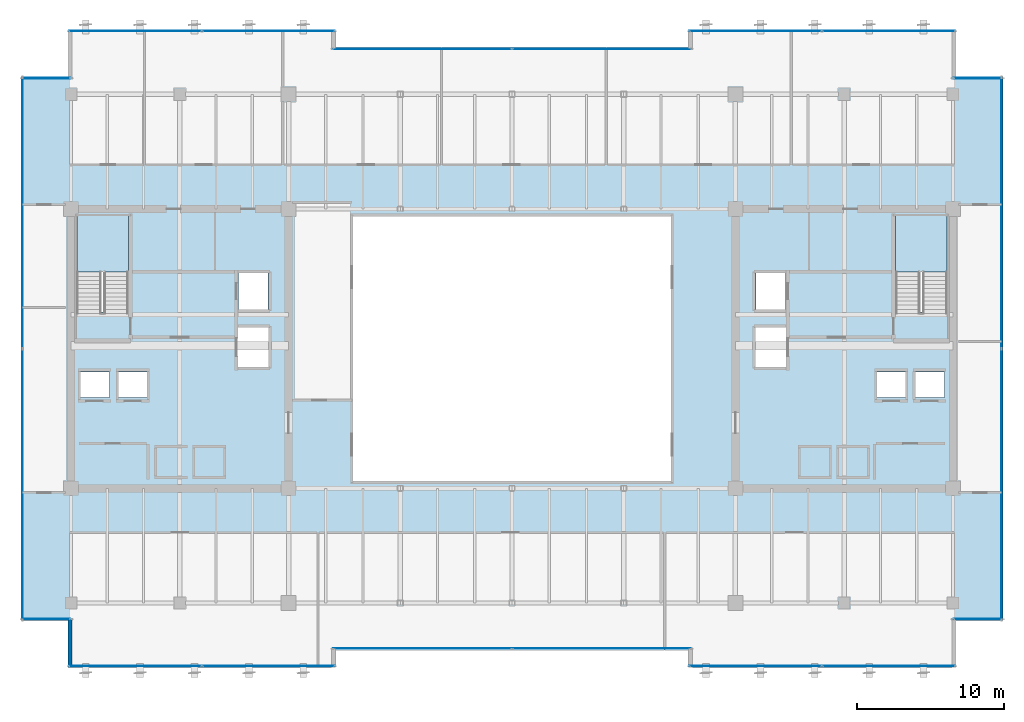
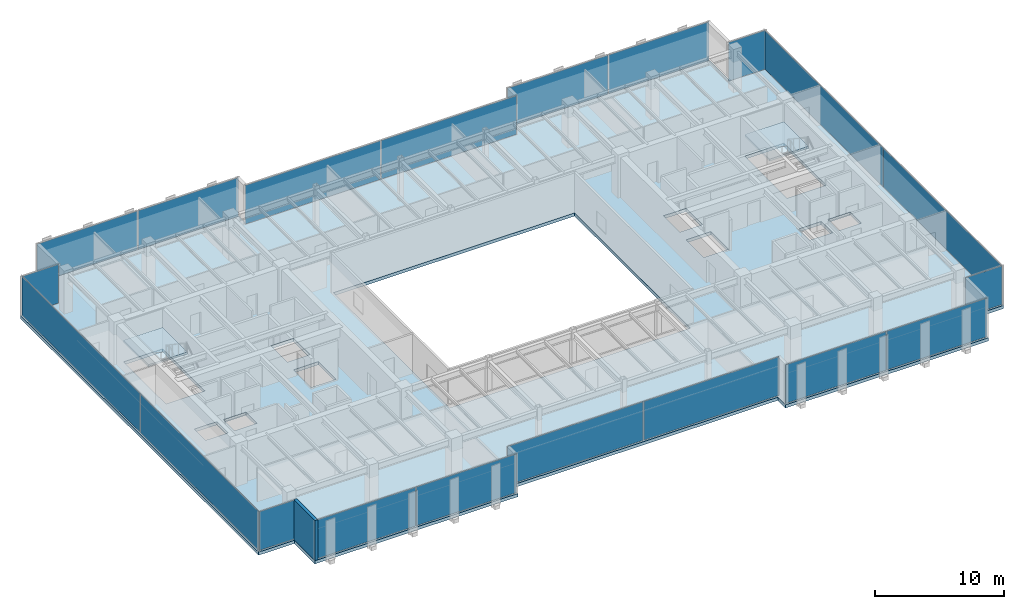
# One storey, part 27 of 35: 20 plates, 3 slabs, 1 wall, 14 elements without a shape of their own.
"""IFC4 building model written with IfcOpenShell, lengths in metres."""

from ifc_helpers import new_model, si_unit, direction, frame, frame_2d, origin, origin_2d, place, context, subcontext, project, spatial, polyline, rectangle, outline, extrude, source, transform, mapped, material, layer, layer_set, type_object, type_shapes, element, aggregate, save


model = new_model("IFC4")

# Units and contexts
model_context = context("Model", 3, precision=1e-05, world=origin(), true_north=direction((0.0, 1.0)))
body_context = subcontext(model_context, "Body", "Model", "MODEL_VIEW")
ifc_project = project(units=[si_unit("LENGTHUNIT", "METRE"), si_unit("AREAUNIT", "SQUARE_METRE"), si_unit("VOLUMEUNIT", "CUBIC_METRE"), si_unit("PLANEANGLEUNIT", "RADIAN"), si_unit("MASSUNIT", "GRAM", prefix="KILO")], contexts=[model_context])

# Site, building, storey
site_placement = place(None, origin())
site = spatial("IfcSite", under=ifc_project, at=site_placement, CompositionType="ELEMENT")
building_placement = place(site_placement, origin())
building = spatial("IfcBuilding", under=site, at=building_placement, Name="Haelvirn Gate Laboratories", CompositionType="ELEMENT")
storey_placement = place(building_placement, frame((0.0, 0.0, 201.39990234375)))
storey = spatial("IfcBuildingStorey", under=building, at=storey_placement, Name="L48", CompositionType="ELEMENT", Elevation=201.39990234375)

# Stair, slab
ifc_material_1 = material(Name="Concrete C40/50", Category="concrete")
stair_type = type_object("IfcStairType", Name="ST-DOG-1650-R22", PredefinedType="HALF_TURN_STAIR", material=ifc_material_1)
stair_1_placement = place(storey_placement, origin())
stair_1 = element("IfcStair", 1, at=stair_1_placement, inside=storey, type_object=stair_type, Name="L48 Escape Stair ST1", PredefinedType="HALF_TURN_STAIR")
ifc_layer_1 = layer(ifc_material_1, 0.199951171875, Name="SL-STAIR-LND")
ifc_layer_set_1 = layer_set([ifc_layer_1], Name="Concrete C40/50")
slab_type_1 = type_object("IfcSlabType", Name="SL-STAIR-LND", PredefinedType="LANDING", material=ifc_layer_set_1)
slab_1_placement = place(storey_placement, frame((0.0, 0.0, 1.85009765625)))
slab_1 = element("IfcSlab", 2, at=slab_1_placement, type_object=slab_type_1, Name="ST1 landing 1", PredefinedType="LANDING", context=body_context, shape_type="SweptSolid", body=[
    extrude(outline(polyline([(11.300048828125, 29.5), (11.300048828125, 33.35009765625), (7.800048828125, 33.35009765625), (7.800048828125, 29.5), (11.300048828125, 29.5)])), origin(), (0.0, 0.0, 1.0), 0.199951171875),
])
aggregate(stair_1, [slab_1])

stair_2_placement = place(storey_placement, origin())
stair_2 = element("IfcStair", 3, at=stair_2_placement, inside=storey, type_object=stair_type, Name="L48 Escape Stair ST2", PredefinedType="HALF_TURN_STAIR")
slab_2_placement = place(storey_placement, frame((0.0, 0.0, 1.85009765625)))
slab_2 = element("IfcSlab", 4, at=slab_2_placement, type_object=slab_type_1, Name="ST2 landing 1", PredefinedType="LANDING", context=body_context, shape_type="SweptSolid", body=[
    extrude(outline(polyline([(67.0, 29.5), (67.0, 33.35009765625), (63.5, 33.35009765625), (63.5, 29.5), (67.0, 29.5)])), origin(), (0.0, 0.0, 1.0), 0.199951171875),
])
aggregate(stair_2, [slab_2])

# Slab
ifc_layer_2 = layer(ifc_material_1, 0.300048828125, Name="SL-Z3-300")
ifc_layer_set_2 = layer_set([ifc_layer_2], Name="Concrete C40/50")
slab_type_2 = type_object("IfcSlabType", Name="SL-Z3-300", PredefinedType="FLOOR", material=ifc_layer_set_2)
slab_3_placement = place(storey_placement, frame((0.0, 0.0, -0.2998046875)))
element("IfcSlab", 5, at=slab_3_placement, inside=storey, type_object=slab_type_2, Name="L48 Structural Slab MAIN", PredefinedType="FLOOR", context=body_context, shape_type="SweptSolid", body=[
    extrude(outline(polyline([(7.199951171875, 2.60009765625), (25.39990234375, 2.60009765625), (25.39990234375, 3.800048828125), (49.39990234375, 3.800048828125), (49.39990234375, 2.60009765625), (67.60009765625, 2.60009765625), (67.60009765625, 5.800048828125), (70.800048828125, 5.800048828125), (70.800048828125, 42.800048828125), (67.60009765625, 42.800048828125), (67.60009765625, 46.0), (49.39990234375, 46.0), (49.39990234375, 44.800048828125), (25.39990234375, 44.800048828125), (25.39990234375, 46.0), (7.199951171875, 46.0), (7.199951171875, 42.800048828125), (4.0, 42.800048828125), (4.0, 5.800048828125), (7.199951171875, 5.800048828125), (7.199951171875, 2.60009765625)]), holes=[polyline([(26.60009765625, 15.300048828125), (48.199951171875, 15.300048828125), (48.199951171875, 33.300048828125), (26.60009765625, 33.300048828125), (26.60009765625, 15.300048828125)]), polyline([(11.300048828125, 26.780029296875), (11.300048828125, 33.35009765625), (7.800048828125, 33.35009765625), (7.800048828125, 26.780029296875), (11.300048828125, 26.780029296875)]), polyline([(67.0, 26.780029296875), (67.0, 33.35009765625), (63.5, 33.35009765625), (63.5, 26.780029296875), (67.0, 26.780029296875)]), polyline([(7.989990234375, 20.969970703125), (10.010009765625, 20.969970703125), (10.010009765625, 22.7099609375), (7.989990234375, 22.7099609375), (7.989990234375, 20.969970703125)]), polyline([(10.590087890625, 20.969970703125), (12.610107421875, 20.969970703125), (12.610107421875, 22.7099609375), (10.590087890625, 22.7099609375), (10.590087890625, 20.969970703125)]), polyline([(18.7900390625, 26.969970703125), (20.81005859375, 26.969970703125), (20.81005859375, 29.510009765625), (18.7900390625, 29.510009765625), (18.7900390625, 26.969970703125)]), polyline([(18.68994140625, 23.070068359375), (20.909912109375, 23.070068359375), (20.909912109375, 25.81005859375), (18.68994140625, 25.81005859375), (18.68994140625, 23.070068359375)]), polyline([(64.7900390625, 20.969970703125), (66.81005859375, 20.969970703125), (66.81005859375, 22.7099609375), (64.7900390625, 22.7099609375), (64.7900390625, 20.969970703125)]), polyline([(62.18994140625, 20.969970703125), (64.2099609375, 20.969970703125), (64.2099609375, 22.7099609375), (62.18994140625, 22.7099609375), (62.18994140625, 20.969970703125)]), polyline([(53.989990234375, 26.969970703125), (56.010009765625, 26.969970703125), (56.010009765625, 29.510009765625), (53.989990234375, 29.510009765625), (53.989990234375, 26.969970703125)]), polyline([(53.889892578125, 23.070068359375), (56.110107421875, 23.070068359375), (56.110107421875, 25.81005859375), (53.889892578125, 25.81005859375), (53.889892578125, 23.070068359375)])]), origin(), (0.0, 0.0, 1.0), 0.2998046875),
])

# Curtain wall, plates
ifc_material_2 = material(Name="Anodised bronze unitised aluminium & triple low-E glass", Category="aluminium")
ifc_layer_3 = layer(ifc_material_2, 0.176025390625, Name="CW-SYS-4")
ifc_layer_set_3 = layer_set([ifc_layer_3], Name="Anodised bronze unitised aluminium & triple low-E glass")
curtain_wall_type_1 = type_object("IfcCurtainWallType", Name="CW-SYS-4", PredefinedType="NOTDEFINED", material=ifc_layer_set_3)
curtain_wall_1_placement = place(storey_placement, origin())
curtain_wall_1 = element("IfcCurtainWall", 6, at=curtain_wall_1_placement, inside=storey, type_object=curtain_wall_type_1, Name="L48 Unitised Curtain Wall CW-L48-P0-E00-1", PredefinedType="NOTDEFINED")
ifc_material_3 = material(Name="Acoustic laminated bronze triple IGU 36 mm", Category="glass")
ifc_layer_4 = layer(ifc_material_3, 0.035888671875, Name="CWP-IGU-36")
ifc_layer_set_4 = layer_set([ifc_layer_4], Name="Acoustic laminated bronze triple IGU 36 mm")
plate_type_1 = type_object("IfcPlateType", Name="CWP-IGU-36", PredefinedType="CURTAIN_PANEL", material=ifc_layer_set_4)
shared_shape_1 = source(origin(), body_context, "Body", "SweptSolid", [
    extrude(rectangle(XDim=8.9951171875, YDim=0.035888671875, at=origin_2d()), origin(), (0.0, 0.0, 1.0), 3.669921875),
])
plate_1_placement = place(storey_placement, frame((11.767578125, 2.699951171875, 0.065185546875), z_axis=(0.0, 0.0, 1.0), x_axis=(1.0, 0.0, 0.0)))
plate_1 = element("IfcPlate", 7, at=plate_1_placement, type_object=plate_type_1, Name="CW4 panel 1.1", PredefinedType="CURTAIN_PANEL", context=body_context, shape_type="MappedRepresentation", body=[
    mapped(shared_shape_1, transform((0.0, 0.0, 0.0), scale=1.0)),
])
plate_2_placement = place(storey_placement, frame((20.83251953125, 2.699951171875, 0.065185546875), z_axis=(0.0, 0.0, 1.0), x_axis=(1.0, 0.0, 0.0)))
plate_2 = element("IfcPlate", 8, at=plate_2_placement, type_object=plate_type_1, Name="CW4 panel 2.1", PredefinedType="CURTAIN_PANEL", context=body_context, shape_type="MappedRepresentation", body=[
    mapped(shared_shape_1, transform((0.0, 0.0, 0.0), scale=1.0)),
])
aggregate(curtain_wall_1, [plate_1, plate_2])

curtain_wall_2_placement = place(storey_placement, origin())
curtain_wall_2 = element("IfcCurtainWall", 9, at=curtain_wall_2_placement, inside=storey, type_object=curtain_wall_type_1, Name="L48 Unitised Curtain Wall CW-L48-P0-E04-1", PredefinedType="NOTDEFINED")
plate_3_placement = place(storey_placement, frame((53.967529296875, 2.699951171875, 0.065185546875), z_axis=(0.0, 0.0, 1.0), x_axis=(1.0, 0.0, 0.0)))
plate_3 = element("IfcPlate", 10, at=plate_3_placement, type_object=plate_type_1, Name="CW4 panel 1.1", PredefinedType="CURTAIN_PANEL", context=body_context, shape_type="MappedRepresentation", body=[
    mapped(shared_shape_1, transform((0.0, 0.0, 0.0), scale=1.0)),
])
plate_4_placement = place(storey_placement, frame((63.032470703125, 2.699951171875, 0.065185546875), z_axis=(0.0, 0.0, 1.0), x_axis=(1.0, 0.0, 0.0)))
plate_4 = element("IfcPlate", 11, at=plate_4_placement, type_object=plate_type_1, Name="CW4 panel 2.1", PredefinedType="CURTAIN_PANEL", context=body_context, shape_type="MappedRepresentation", body=[
    mapped(shared_shape_1, transform((0.0, 0.0, 0.0), scale=1.0)),
])
aggregate(curtain_wall_2, [plate_3, plate_4])

curtain_wall_3_placement = place(storey_placement, origin())
curtain_wall_3 = element("IfcCurtainWall", 12, at=curtain_wall_3_placement, inside=storey, type_object=curtain_wall_type_1, Name="L48 Unitised Curtain Wall CW-L48-P0-E10-1", PredefinedType="NOTDEFINED")
plate_5_placement = place(storey_placement, frame((53.967529296875, 45.89990234375, 0.065185546875), z_axis=(0.0, 0.0, 1.0), x_axis=(1.0, 0.0, 0.0)))
plate_5 = element("IfcPlate", 13, at=plate_5_placement, type_object=plate_type_1, Name="CW4 panel 1.1", PredefinedType="CURTAIN_PANEL", context=body_context, shape_type="MappedRepresentation", body=[
    mapped(shared_shape_1, transform((0.0, 0.0, 0.0), scale=1.0)),
])
plate_6_placement = place(storey_placement, frame((63.032470703125, 45.89990234375, 0.065185546875), z_axis=(0.0, 0.0, 1.0), x_axis=(1.0, 0.0, 0.0)))
plate_6 = element("IfcPlate", 14, at=plate_6_placement, type_object=plate_type_1, Name="CW4 panel 2.1", PredefinedType="CURTAIN_PANEL", context=body_context, shape_type="MappedRepresentation", body=[
    mapped(shared_shape_1, transform((0.0, 0.0, 0.0), scale=1.0)),
])
aggregate(curtain_wall_3, [plate_5, plate_6])

curtain_wall_4_placement = place(storey_placement, origin())
curtain_wall_4 = element("IfcCurtainWall", 15, at=curtain_wall_4_placement, inside=storey, type_object=curtain_wall_type_1, Name="L48 Unitised Curtain Wall CW-L48-P0-E14-1", PredefinedType="NOTDEFINED")
plate_7_placement = place(storey_placement, frame((11.767578125, 45.89990234375, 0.065185546875), z_axis=(0.0, 0.0, 1.0), x_axis=(1.0, 0.0, 0.0)))
plate_7 = element("IfcPlate", 16, at=plate_7_placement, type_object=plate_type_1, Name="CW4 panel 1.1", PredefinedType="CURTAIN_PANEL", context=body_context, shape_type="MappedRepresentation", body=[
    mapped(shared_shape_1, transform((0.0, 0.0, 0.0), scale=1.0)),
])
plate_8_placement = place(storey_placement, frame((20.83251953125, 45.89990234375, 0.065185546875), z_axis=(0.0, 0.0, 1.0), x_axis=(1.0, 0.0, 0.0)))
plate_8 = element("IfcPlate", 17, at=plate_8_placement, type_object=plate_type_1, Name="CW4 panel 2.1", PredefinedType="CURTAIN_PANEL", context=body_context, shape_type="MappedRepresentation", body=[
    mapped(shared_shape_1, transform((0.0, 0.0, 0.0), scale=1.0)),
])
aggregate(curtain_wall_4, [plate_7, plate_8])

curtain_wall_5_placement = place(storey_placement, origin())
curtain_wall_5 = element("IfcCurtainWall", 18, at=curtain_wall_5_placement, inside=storey, type_object=curtain_wall_type_1, Name="L48 Unitised Curtain Wall CW-L48-P0-E02-1", PredefinedType="NOTDEFINED")
shared_shape_2 = source(origin(), body_context, "Body", "SweptSolid", [
    extrude(rectangle(XDim=12.135009765625, YDim=0.035888671875, at=origin_2d()), origin(), (0.0, 0.0, 1.0), 3.669921875),
])
plate_9_placement = place(storey_placement, frame((31.297607421875, 3.89990234375, 0.065185546875), z_axis=(0.0, 0.0, 1.0), x_axis=(1.0, 0.0, 0.0)))
plate_9 = element("IfcPlate", 19, at=plate_9_placement, type_object=plate_type_1, Name="CW4 panel 1.1", PredefinedType="CURTAIN_PANEL", context=body_context, shape_type="MappedRepresentation", body=[
    mapped(shared_shape_2, transform((0.0, 0.0, 0.0), scale=1.0)),
])
plate_10_placement = place(storey_placement, frame((43.50244140625, 3.89990234375, 0.065185546875), z_axis=(0.0, 0.0, 1.0), x_axis=(1.0, 0.0, 0.0)))
plate_10 = element("IfcPlate", 20, at=plate_10_placement, type_object=plate_type_1, Name="CW4 panel 2.1", PredefinedType="CURTAIN_PANEL", context=body_context, shape_type="MappedRepresentation", body=[
    mapped(shared_shape_2, transform((0.0, 0.0, 0.0), scale=1.0)),
])
aggregate(curtain_wall_5, [plate_9, plate_10])

curtain_wall_6_placement = place(storey_placement, origin())
curtain_wall_6 = element("IfcCurtainWall", 21, at=curtain_wall_6_placement, inside=storey, type_object=curtain_wall_type_1, Name="L48 Unitised Curtain Wall CW-L48-P0-E12-1", PredefinedType="NOTDEFINED")
plate_11_placement = place(storey_placement, frame((31.297607421875, 44.699951171875, 0.065185546875), z_axis=(0.0, 0.0, 1.0), x_axis=(1.0, 0.0, 0.0)))
plate_11 = element("IfcPlate", 22, at=plate_11_placement, type_object=plate_type_1, Name="CW4 panel 1.1", PredefinedType="CURTAIN_PANEL", context=body_context, shape_type="MappedRepresentation", body=[
    mapped(shared_shape_2, transform((0.0, 0.0, 0.0), scale=1.0)),
])
plate_12_placement = place(storey_placement, frame((43.50244140625, 44.699951171875, 0.065185546875), z_axis=(0.0, 0.0, 1.0), x_axis=(1.0, 0.0, 0.0)))
plate_12 = element("IfcPlate", 23, at=plate_12_placement, type_object=plate_type_1, Name="CW4 panel 2.1", PredefinedType="CURTAIN_PANEL", context=body_context, shape_type="MappedRepresentation", body=[
    mapped(shared_shape_2, transform((0.0, 0.0, 0.0), scale=1.0)),
])
aggregate(curtain_wall_6, [plate_11, plate_12])

# Curtain wall, plate
ifc_layer_5 = layer(ifc_material_2, 0.181884765625, Name="CW-SYS-5")
ifc_layer_set_5 = layer_set([ifc_layer_5], Name="Anodised bronze unitised aluminium & triple low-E glass")
curtain_wall_type_2 = type_object("IfcCurtainWallType", Name="CW-SYS-5", PredefinedType="NOTDEFINED", material=ifc_layer_set_5)
curtain_wall_7_placement = place(storey_placement, origin())
curtain_wall_7 = element("IfcCurtainWall", 24, at=curtain_wall_7_placement, inside=storey, type_object=curtain_wall_type_2, Name="L48 Unitised Curtain Wall CW-L48-P0-E06-1", PredefinedType="NOTDEFINED")
ifc_material_4 = material(Name="Clear low-iron notched-corner triple IGU 42 mm", Category="glass")
ifc_layer_6 = layer(ifc_material_4, 0.0419921875, Name="CWP-NTC-42")
ifc_layer_set_6 = layer_set([ifc_layer_6], Name="Clear low-iron notched-corner triple IGU 42 mm")
plate_type_2 = type_object("IfcPlateType", Name="CWP-NTC-42", PredefinedType="CURTAIN_PANEL", material=ifc_layer_set_6)
shared_shape_3 = source(origin(), body_context, "Body", "SweptSolid", [
    extrude(rectangle(XDim=3.280029296875, YDim=0.0419921875, at=origin_2d()), origin(), (0.0, 0.0, 1.0), 3.669921875),
])
type_shapes(plate_type_2, [shared_shape_3])
plate_13_placement = place(storey_placement, frame((69.080078125, 5.89990234375, 0.065185546875), z_axis=(0.0, 0.0, 1.0), x_axis=(1.0, 0.0, 0.0)))
plate_13 = element("IfcPlate", 25, at=plate_13_placement, type_object=plate_type_2, Name="CW5 panel 1.1", PredefinedType="CURTAIN_PANEL", context=body_context, shape_type="MappedRepresentation", body=[
    mapped(shared_shape_3, transform((0.0, 0.0, 0.0), scale=1.0)),
])
aggregate(curtain_wall_7, [plate_13])

curtain_wall_8_placement = place(storey_placement, origin())
curtain_wall_8 = element("IfcCurtainWall", 26, at=curtain_wall_8_placement, inside=storey, type_object=curtain_wall_type_2, Name="L48 Unitised Curtain Wall CW-L48-P0-E08-1", PredefinedType="NOTDEFINED")
plate_14_placement = place(storey_placement, frame((69.080078125, 42.699951171875, 0.065185546875), z_axis=(0.0, 0.0, 1.0), x_axis=(1.0, 0.0, 0.0)))
plate_14 = element("IfcPlate", 27, at=plate_14_placement, type_object=plate_type_2, Name="CW5 panel 1.1", PredefinedType="CURTAIN_PANEL", context=body_context, shape_type="MappedRepresentation", body=[
    mapped(shared_shape_3, transform((0.0, 0.0, 0.0), scale=1.0)),
])
aggregate(curtain_wall_8, [plate_14])

curtain_wall_9_placement = place(storey_placement, origin())
curtain_wall_9 = element("IfcCurtainWall", 28, at=curtain_wall_9_placement, inside=storey, type_object=curtain_wall_type_2, Name="L48 Unitised Curtain Wall CW-L48-P0-E16-1", PredefinedType="NOTDEFINED")
plate_15_placement = place(storey_placement, frame((5.719970703125, 42.699951171875, 0.065185546875), z_axis=(0.0, 0.0, 1.0), x_axis=(1.0, 0.0, 0.0)))
plate_15 = element("IfcPlate", 29, at=plate_15_placement, type_object=plate_type_2, Name="CW5 panel 1.1", PredefinedType="CURTAIN_PANEL", context=body_context, shape_type="MappedRepresentation", body=[
    mapped(shared_shape_3, transform((0.0, 0.0, 0.0), scale=1.0)),
])
aggregate(curtain_wall_9, [plate_15])

curtain_wall_10_placement = place(storey_placement, origin())
curtain_wall_10 = element("IfcCurtainWall", 30, at=curtain_wall_10_placement, inside=storey, type_object=curtain_wall_type_2, Name="L48 Unitised Curtain Wall CW-L48-P0-E18-1", PredefinedType="NOTDEFINED")
plate_16_placement = place(storey_placement, frame((5.719970703125, 5.89990234375, 0.065185546875), z_axis=(0.0, 0.0, 1.0), x_axis=(1.0, 0.0, 0.0)))
plate_16 = element("IfcPlate", 31, at=plate_16_placement, type_object=plate_type_2, Name="CW5 panel 1.1", PredefinedType="CURTAIN_PANEL", context=body_context, shape_type="MappedRepresentation", body=[
    mapped(shared_shape_3, transform((0.0, 0.0, 0.0), scale=1.0)),
])
aggregate(curtain_wall_10, [plate_16])

# Curtain wall, plates
curtain_wall_11_placement = place(storey_placement, origin())
curtain_wall_11 = element("IfcCurtainWall", 32, at=curtain_wall_11_placement, inside=storey, type_object=curtain_wall_type_1, Name="L48 Unitised Curtain Wall CW-L48-P0-E07", PredefinedType="NOTDEFINED")
shared_shape_4 = source(origin(), body_context, "Body", "SweptSolid", [
    extrude(rectangle(XDim=18.39501953125, YDim=0.035888671875, at=origin_2d()), origin(), (0.0, 0.0, 1.0), 3.669921875),
])
type_shapes(plate_type_1, [shared_shape_1, shared_shape_2, shared_shape_4])
plate_17_placement = place(storey_placement, frame((70.699951171875, 15.0673828125, 0.065185546875), z_axis=(0.0, 0.0, 1.0), x_axis=(0.0, 1.0, 0.0)))
plate_17 = element("IfcPlate", 33, at=plate_17_placement, type_object=plate_type_1, Name="CW4 panel 1.1", PredefinedType="CURTAIN_PANEL", context=body_context, shape_type="MappedRepresentation", body=[
    mapped(shared_shape_4, transform((0.0, 0.0, 0.0), scale=1.0)),
])
plate_18_placement = place(storey_placement, frame((70.699951171875, 33.532470703125, 0.065185546875), z_axis=(0.0, 0.0, 1.0), x_axis=(0.0, 1.0, 0.0)))
plate_18 = element("IfcPlate", 34, at=plate_18_placement, type_object=plate_type_1, Name="CW4 panel 2.1", PredefinedType="CURTAIN_PANEL", context=body_context, shape_type="MappedRepresentation", body=[
    mapped(shared_shape_4, transform((0.0, 0.0, 0.0), scale=1.0)),
])
aggregate(curtain_wall_11, [plate_17, plate_18])

curtain_wall_12_placement = place(storey_placement, origin())
curtain_wall_12 = element("IfcCurtainWall", 35, at=curtain_wall_12_placement, inside=storey, type_object=curtain_wall_type_1, Name="L48 Unitised Curtain Wall CW-L48-P0-E17", PredefinedType="NOTDEFINED")
plate_19_placement = place(storey_placement, frame((4.10009765625, 33.532470703125, 0.065185546875), z_axis=(0.0, 0.0, 1.0), x_axis=(0.0, -1.0, 0.0)))
plate_19 = element("IfcPlate", 36, at=plate_19_placement, type_object=plate_type_1, Name="CW4 panel 1.1", PredefinedType="CURTAIN_PANEL", context=body_context, shape_type="MappedRepresentation", body=[
    mapped(shared_shape_4, transform((0.0, 0.0, 0.0), scale=1.0)),
])
plate_20_placement = place(storey_placement, frame((4.10009765625, 15.0673828125, 0.065185546875), z_axis=(0.0, 0.0, 1.0), x_axis=(0.0, -1.0, 0.0)))
plate_20 = element("IfcPlate", 37, at=plate_20_placement, type_object=plate_type_1, Name="CW4 panel 2.1", PredefinedType="CURTAIN_PANEL", context=body_context, shape_type="MappedRepresentation", body=[
    mapped(shared_shape_4, transform((0.0, 0.0, 0.0), scale=1.0)),
])
aggregate(curtain_wall_12, [plate_19, plate_20])

# Wall
ifc_material_5 = material(Name="Thermally-broken bronze aluminium rainscreen & mineral wool", Category="aluminium")
ifc_layer_7 = layer(ifc_material_5, 0.280029296875, Name="EW-TERR-280")
ifc_layer_set_7 = layer_set([ifc_layer_7], Name="Thermally-broken bronze aluminium rainscreen & mineral wool")
wall_type = type_object("IfcWallType", Name="EW-TERR-280", PredefinedType="STANDARD", material=ifc_layer_set_7)
wall_placement = place(storey_placement, frame((7.340087890625, 5.887939453125, 0.0), z_axis=(0.0, 0.0, 1.0), x_axis=(0.0, -1.0, 0.0)))
element("IfcWall", 38, at=wall_placement, inside=storey, type_object=wall_type, Name="L48 Atrium Recess Bronze Return Wall 19", PredefinedType="STANDARD", context=body_context, shape_type="SweptSolid", body=[
    extrude(rectangle(XDim=3.287841796875, YDim=0.280029296875, at=frame_2d((1.64404296875, 0.0))), origin(), (0.0, 0.0, 1.0), 3.800048828125),
])

save(model, "model.ifc")
